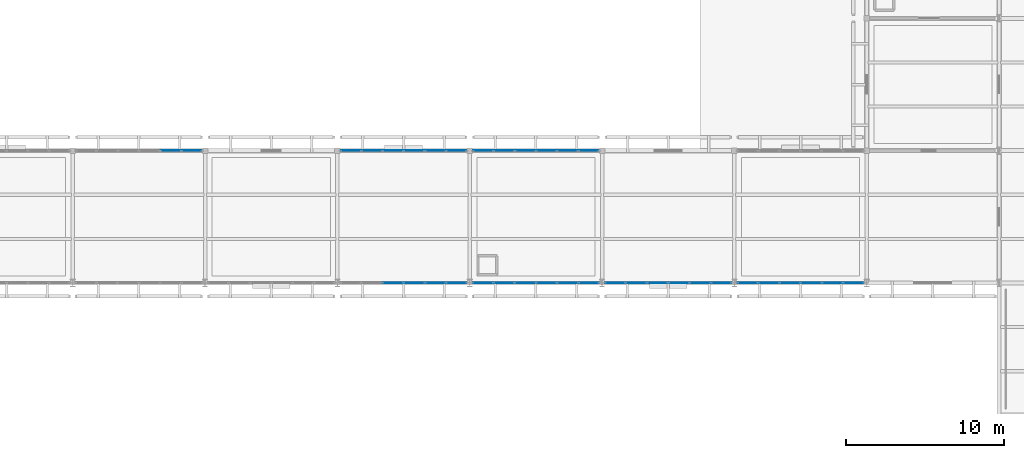
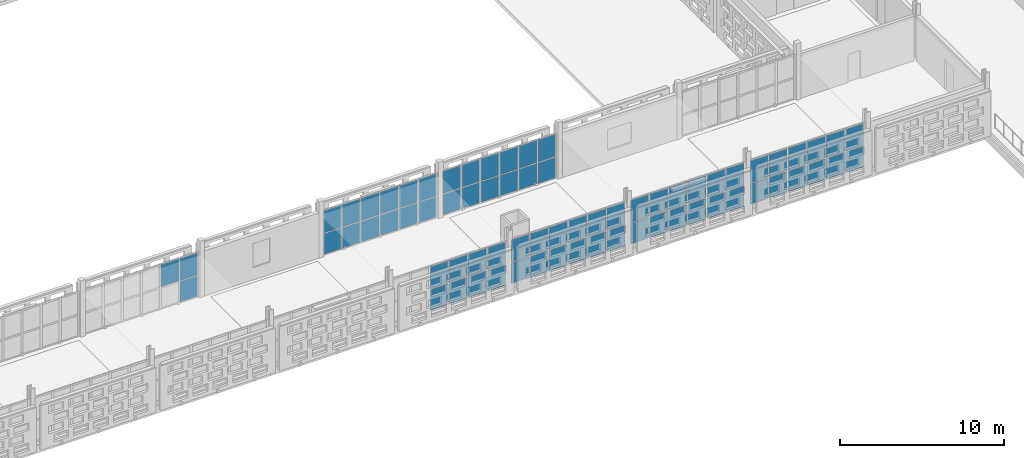
# One storey, part 77 of 140: 71 plates, 7 elements without a shape of their own.
"""IFC4 building model written with IfcOpenShell, lengths in metres."""

import ifcopenshell
import ifcopenshell.guid

model = None  # the IFC model being written
_history = None  # IfcOwnerHistory: only IFC2X3 demands one
_inside = {}  # id of a spatial element -> (the spatial element, [elements in it])
_under = {}  # id of a project, library or spatial element -> (it, [spatial elements below it])
_declared = {}  # id of a project -> (the project, [libraries it declares])
_typed = {}  # id of a type object -> (the type object, [elements of that type])
_made_of = {}  # id of a material, layer set ... -> (it, [elements and type objects made of it])


def new_model(schema):
    """Start an empty IFC model of exactly this schema.

    Asked for "IFC4X3", IfcOpenShell would pick the latest addendum, in which some entities
    have other attributes; the version numbers below select the first issue.
    IFC2X3 requires an IfcOwnerHistory on every rooted entity: one is made here for all.
    """
    global model, _history
    if schema == "IFC4X3":
        model = ifcopenshell.file(schema_version=(4, 3, 0, 0))
    else:
        model = ifcopenshell.file(schema=schema)
    _inside.clear()
    _under.clear()
    _declared.clear()
    _typed.clear()
    _made_of.clear()
    _history = None
    if model.schema == "IFC2X3":
        org = make("IfcOrganization", Name="unknown")
        user = make(
            "IfcPersonAndOrganization",
            ThePerson=make("IfcPerson", FamilyName="unknown"),
            TheOrganization=org,
        )
        app = make(
            "IfcApplication",
            ApplicationDeveloper=org,
            Version="unknown",
            ApplicationFullName="unknown",
            ApplicationIdentifier="unknown",
        )
        _history = make(
            "IfcOwnerHistory",
            OwningUser=user,
            OwningApplication=app,
            ChangeAction="ADDED",
            CreationDate=0,
        )
    return model


def make(cls, **values):
    """One entity of the class cls with the attributes given. An attribute that is None is left unset."""
    return model.create_entity(
        cls, **{name: value for name, value in values.items() if value is not None}
    )


def rooted(cls, **values):
    """An entity with a GlobalId (a new one), such as an element, a storey or a relation."""
    return make(cls, GlobalId=ifcopenshell.guid.new(), OwnerHistory=_history, **values)


def si_unit(unit_type, name, prefix=None):
    """IfcSIUnit, for example si_unit("LENGTHUNIT", "METRE", prefix="MILLI")."""
    return make("IfcSIUnit", UnitType=unit_type, Prefix=prefix, Name=name)


def assignment(units):
    """IfcUnitAssignment: the units of a project."""
    return None if units is None else make("IfcUnitAssignment", Units=units)


def point(xyz):
    """IfcCartesianPoint."""
    return None if xyz is None else make("IfcCartesianPoint", Coordinates=xyz)


def direction(xyz):
    """IfcDirection."""
    return None if xyz is None else make("IfcDirection", DirectionRatios=xyz)


def frame(location, z_axis=None, x_axis=None):
    """IfcAxis2Placement3D, a coordinate frame: its origin and axes. An axis left out is left unset."""
    return make(
        "IfcAxis2Placement3D",
        Location=point(location),
        Axis=direction(z_axis),
        RefDirection=direction(x_axis),
    )


def frame_2d(location, x_axis=None):
    """IfcAxis2Placement2D, a coordinate frame in the plane: its origin and x axis."""
    return make(
        "IfcAxis2Placement2D", Location=point(location), RefDirection=direction(x_axis)
    )


def origin():
    """The frame at (0, 0, 0) with its axes left unset."""
    return frame((0.0, 0.0, 0.0))


def origin_2d():
    """The frame at (0, 0) in the plane with its x axis left unset."""
    return frame_2d((0.0, 0.0))


def place(relative_to, where):
    """IfcLocalPlacement: puts the frame where relative to a parent placement (None: the world)."""
    return make(
        "IfcLocalPlacement", PlacementRelTo=relative_to, RelativePlacement=where
    )


def context(
    kind, dimensions, precision=None, world=None, true_north=None, identifier=None
):
    """IfcGeometricRepresentationContext, for example the 3D "Model" context."""
    return make(
        "IfcGeometricRepresentationContext",
        ContextIdentifier=identifier,
        ContextType=kind,
        CoordinateSpaceDimension=dimensions,
        Precision=precision,
        WorldCoordinateSystem=world,
        TrueNorth=true_north,
    )


def subcontext(parent, identifier, kind, view, scale=None):
    """IfcGeometricRepresentationSubContext, for example "Body" below "Model"."""
    return make(
        "IfcGeometricRepresentationSubContext",
        ContextIdentifier=identifier,
        ContextType=kind,
        ParentContext=parent,
        TargetScale=scale,
        TargetView=view,
    )


def project(units=None, contexts=None):
    """IfcProject with its units and contexts."""
    return rooted(
        "IfcProject",
        Name="project",
        RepresentationContexts=contexts,
        UnitsInContext=assignment(units),
    )


def spatial(cls, under=None, at=None, **own):
    """A site, building, storey or space (cls), placed at a placement, below another one or the project."""
    s = rooted(cls, ObjectPlacement=at, **own)
    if under is not None:
        _under.setdefault(under.id(), (under, []))[1].append(s)
    return s


def profile(cls, at=None, kind="AREA", **sizes):
    """A parametric profile (cls). Its sizes go by their IFC names, for example OverallWidth=200.0."""
    return make(cls, ProfileType=kind, Position=at, **sizes)


def rectangle(**sizes):
    """IfcRectangleProfileDef."""
    return profile("IfcRectangleProfileDef", **sizes)


def extrude(swept, where, along, depth):
    """IfcExtrudedAreaSolid: the profile swept, set in the frame where, extruded along a direction by depth."""
    return make(
        "IfcExtrudedAreaSolid",
        SweptArea=swept,
        Position=where,
        ExtrudedDirection=direction(along),
        Depth=depth,
    )


def shape(context_of_items, identifier, shape_type, items):
    """IfcShapeRepresentation: the items that make up one representation, for example the "Body"."""
    return make(
        "IfcShapeRepresentation",
        ContextOfItems=context_of_items,
        RepresentationIdentifier=identifier,
        RepresentationType=shape_type,
        Items=items,
    )


def material(Name=None, Category=None):
    """IfcMaterial."""
    return make("IfcMaterial", Name=Name, Category=Category)


def layer(
    of_material, thickness, ventilated=None, Name=None, Category=None, Priority=None
):
    """IfcMaterialLayer: one layer of a wall or slab, of a material (None: an air gap)."""
    return make(
        "IfcMaterialLayer",
        Material=of_material,
        LayerThickness=thickness,
        IsVentilated=ventilated,
        Name=Name,
        Category=Category,
        Priority=Priority,
    )


def layer_set(layers, Name=None):
    """IfcMaterialLayerSet."""
    return make("IfcMaterialLayerSet", MaterialLayers=layers, LayerSetName=Name)


def made_of(thing, what):
    """Note that an element or type object is made of a material, layer set ...; save() writes the relation."""
    if what is not None:
        _made_of.setdefault(what.id(), (what, []))[1].append(thing)
    return thing


def type_object(cls, material=None, **own):
    """A type object (cls), such as IfcWallType, which elements share."""
    return made_of(rooted(cls, **own), material)


def element(
    cls,
    number,
    at=None,
    inside=None,
    cuts=None,
    type_object=None,
    material=None,
    context=None,
    identifier="Body",
    shape_type=None,
    held_by="IfcProductDefinitionShape",
    body=None,
    shapes=None,
    **own,
):
    """One element of the class cls, such as IfcWall. Its Tag is "e" and its number.

    at: its placement. inside: the storey or other place that contains it. cuts: it is an
    opening in that element (IfcRelVoidsElement). A single representation is given by context,
    identifier, shape_type and body (its items); several are given by shapes. held_by: the class
    of the entity that holds the representations. save() writes the other relations.
    """
    e = rooted(cls, Tag="e%d" % number, ObjectPlacement=at, **own)
    if body is not None:
        shapes = [shape(context, identifier, shape_type, body)]
    if shapes is not None:
        e.Representation = make(held_by, Representations=shapes)
    if inside is not None:
        _inside.setdefault(inside.id(), (inside, []))[1].append(e)
    if cuts is not None:
        rooted(
            "IfcRelVoidsElement", RelatingBuildingElement=cuts, RelatedOpeningElement=e
        )
    if type_object is not None:
        _typed.setdefault(type_object.id(), (type_object, []))[1].append(e)
    return made_of(e, material)


def aggregate(whole, parts):
    """IfcRelAggregates: a whole, such as a stair, and the parts it consists of."""
    return rooted("IfcRelAggregates", RelatingObject=whole, RelatedObjects=parts)


def save(model, path):
    """Write the relations noted so far, then the file.

    IfcRelAggregates (storeys below a building ...), IfcRelContainedInSpatialStructure (elements
    in a storey), IfcRelDefinesByType, IfcRelAssociatesMaterial and IfcRelDeclares: one each for
    every whole, place, type object, material and project.
    """
    for whole, parts in _under.values():
        aggregate(whole, parts)
    for where, things in _inside.values():
        rooted(
            "IfcRelContainedInSpatialStructure",
            RelatedElements=things,
            RelatingStructure=where,
        )
    for kind, things in _typed.values():
        rooted("IfcRelDefinesByType", RelatedObjects=things, RelatingType=kind)
    for what, things in _made_of.values():
        rooted("IfcRelAssociatesMaterial", RelatedObjects=things, RelatingMaterial=what)
    for by, libraries in _declared.values():
        rooted("IfcRelDeclares", RelatingContext=by, RelatedDefinitions=libraries)
    model.write(path)


model = new_model("IFC4")

# Units and contexts
model_context = context("Model", 3, precision=1e-05, world=origin(), true_north=direction((0.0, 1.0)))
body_context = subcontext(model_context, "Body", "Model", "MODEL_VIEW")
ifc_project = project(units=[si_unit("LENGTHUNIT", "METRE"), si_unit("AREAUNIT", "SQUARE_METRE"), si_unit("VOLUMEUNIT", "CUBIC_METRE"), si_unit("PLANEANGLEUNIT", "RADIAN"), si_unit("MASSUNIT", "GRAM", prefix="KILO")], contexts=[model_context])

# Site, building, storey
site_placement = place(None, origin())
site = spatial("IfcSite", under=ifc_project, at=site_placement, CompositionType="ELEMENT")
building_placement = place(site_placement, origin())
building = spatial("IfcBuilding", under=site, at=building_placement, Name="Varnapada Polytechnic", CompositionType="ELEMENT")
storey_placement = place(building_placement, frame((0.0, 0.0, 13.800048828125)))
storey = spatial("IfcBuildingStorey", under=building, at=storey_placement, Name="L03", CompositionType="ELEMENT", Elevation=13.800048828125)

# Curtain wall, plates
ifc_material = material(Name="Double low-E laminated glass", Category="glass")
ifc_layer_1 = layer(ifc_material, 0.159912109375)
ifc_layer_set_1 = layer_set([ifc_layer_1], Name="Double low-E laminated glass")
curtain_wall_type_1 = type_object("IfcCurtainWallType", Name="Curtain Wall CW-02", PredefinedType="NOTDEFINED", material=ifc_layer_set_1)
curtain_wall_1_placement = place(storey_placement, origin())
curtain_wall_1 = element("IfcCurtainWall", 1, at=curtain_wall_1_placement, inside=storey, type_object=curtain_wall_type_1, Name="L03 unitised curtain wall CW-02 (237)", PredefinedType="NOTDEFINED")
ifc_layer_2 = layer(ifc_material, 0.028076171875)
ifc_layer_set_2 = layer_set([ifc_layer_2], Name="Double low-E laminated glass")
plate_type = type_object("IfcPlateType", Name="Curtain Panel PNL-01", PredefinedType="CURTAIN_PANEL", material=ifc_layer_set_2)
plate_1_placement = place(storey_placement, frame((81.81494140625, 92.39990234375, 1.642822265625), z_axis=(0.0, 0.0, 1.0), x_axis=(1.0, 0.0, 0.0)))
plate_1 = element("IfcPlate", 2, at=plate_1_placement, type_object=plate_type, Name="CW-02 panel 5.2", PredefinedType="CURTAIN_PANEL", context=body_context, shape_type="SweptSolid", body=[
    extrude(rectangle(XDim=1.283447265625, YDim=0.028076171875, at=origin_2d()), origin(), (0.0, 0.0, 1.0), 1.6572265625),
])
plate_2_placement = place(storey_placement, frame((83.143310546875, 92.39990234375, 0.06005859375), z_axis=(0.0, 0.0, 1.0), x_axis=(1.0, 0.0, 0.0)))
plate_2 = element("IfcPlate", 3, at=plate_2_placement, type_object=plate_type, Name="CW-02 panel 6.1", PredefinedType="CURTAIN_PANEL", context=body_context, shape_type="SweptSolid", body=[
    extrude(rectangle(XDim=1.25341796875, YDim=0.028076171875, at=origin_2d()), origin(), (0.0, 0.0, 1.0), 1.522705078125),
])
plate_3_placement = place(storey_placement, frame((83.143310546875, 92.39990234375, 1.642822265625), z_axis=(0.0, 0.0, 1.0), x_axis=(1.0, 0.0, 0.0)))
plate_3 = element("IfcPlate", 4, at=plate_3_placement, type_object=plate_type, Name="CW-02 panel 6.2", PredefinedType="CURTAIN_PANEL", context=body_context, shape_type="SweptSolid", body=[
    extrude(rectangle(XDim=1.25341796875, YDim=0.028076171875, at=origin_2d()), origin(), (0.0, 0.0, 1.0), 1.6572265625),
])
aggregate(curtain_wall_1, [plate_1, plate_2, plate_3])

ifc_layer_3 = layer(ifc_material, 0.159912109375)
ifc_layer_set_3 = layer_set([ifc_layer_3], Name="Double low-E laminated glass")
curtain_wall_type_2 = type_object("IfcCurtainWallType", Name="Curtain Wall CW-01", PredefinedType="NOTDEFINED", material=ifc_layer_set_3)
curtain_wall_2_placement = place(storey_placement, origin())
curtain_wall_2 = element("IfcCurtainWall", 5, at=curtain_wall_2_placement, inside=storey, type_object=curtain_wall_type_2, Name="L03 unitised curtain wall CW-01 (239)", PredefinedType="NOTDEFINED")
plate_4_placement = place(storey_placement, frame((99.9599609375, 84.0, 0.06005859375), z_axis=(0.0, 0.0, 1.0), x_axis=(-1.0, 0.0, 0.0)))
plate_4 = element("IfcPlate", 6, at=plate_4_placement, type_object=plate_type, Name="CW-01 panel 1.1", PredefinedType="CURTAIN_PANEL", context=body_context, shape_type="SweptSolid", body=[
    extrude(rectangle(XDim=1.260009765625, YDim=0.028076171875, at=origin_2d()), origin(), (0.0, 0.0, 1.0), 1.522705078125),
])
plate_5_placement = place(storey_placement, frame((99.9599609375, 84.0, 1.642822265625), z_axis=(0.0, 0.0, 1.0), x_axis=(-1.0, 0.0, 0.0)))
plate_5 = element("IfcPlate", 7, at=plate_5_placement, type_object=plate_type, Name="CW-01 panel 1.2", PredefinedType="CURTAIN_PANEL", context=body_context, shape_type="SweptSolid", body=[
    extrude(rectangle(XDim=1.260009765625, YDim=0.028076171875, at=origin_2d()), origin(), (0.0, 0.0, 1.0), 1.6572265625),
])
plate_6_placement = place(storey_placement, frame((98.625, 84.0, 0.06005859375), z_axis=(0.0, 0.0, 1.0), x_axis=(-1.0, 0.0, 0.0)))
plate_6 = element("IfcPlate", 8, at=plate_6_placement, type_object=plate_type, Name="CW-01 panel 2.1", PredefinedType="CURTAIN_PANEL", context=body_context, shape_type="SweptSolid", body=[
    extrude(rectangle(XDim=1.2900390625, YDim=0.028076171875, at=origin_2d()), origin(), (0.0, 0.0, 1.0), 1.522705078125),
])
plate_7_placement = place(storey_placement, frame((98.625, 84.0, 1.642822265625), z_axis=(0.0, 0.0, 1.0), x_axis=(-1.0, 0.0, 0.0)))
plate_7 = element("IfcPlate", 9, at=plate_7_placement, type_object=plate_type, Name="CW-01 panel 2.2", PredefinedType="CURTAIN_PANEL", context=body_context, shape_type="SweptSolid", body=[
    extrude(rectangle(XDim=1.2900390625, YDim=0.028076171875, at=origin_2d()), origin(), (0.0, 0.0, 1.0), 1.6572265625),
])
plate_8_placement = place(storey_placement, frame((97.27490234375, 84.0, 0.06005859375), z_axis=(0.0, 0.0, 1.0), x_axis=(-1.0, 0.0, 0.0)))
plate_8 = element("IfcPlate", 10, at=plate_8_placement, type_object=plate_type, Name="CW-01 panel 3.1", PredefinedType="CURTAIN_PANEL", context=body_context, shape_type="SweptSolid", body=[
    extrude(rectangle(XDim=1.2900390625, YDim=0.028076171875, at=origin_2d()), origin(), (0.0, 0.0, 1.0), 1.522705078125),
])
plate_9_placement = place(storey_placement, frame((97.27490234375, 84.0, 1.642822265625), z_axis=(0.0, 0.0, 1.0), x_axis=(-1.0, 0.0, 0.0)))
plate_9 = element("IfcPlate", 11, at=plate_9_placement, type_object=plate_type, Name="CW-01 panel 3.2", PredefinedType="CURTAIN_PANEL", context=body_context, shape_type="SweptSolid", body=[
    extrude(rectangle(XDim=1.2900390625, YDim=0.028076171875, at=origin_2d()), origin(), (0.0, 0.0, 1.0), 1.6572265625),
])
plate_10_placement = place(storey_placement, frame((95.925048828125, 84.0, 0.06005859375), z_axis=(0.0, 0.0, 1.0), x_axis=(-1.0, 0.0, 0.0)))
plate_10 = element("IfcPlate", 12, at=plate_10_placement, type_object=plate_type, Name="CW-01 panel 4.1", PredefinedType="CURTAIN_PANEL", context=body_context, shape_type="SweptSolid", body=[
    extrude(rectangle(XDim=1.2900390625, YDim=0.028076171875, at=origin_2d()), origin(), (0.0, 0.0, 1.0), 1.522705078125),
])
plate_11_placement = place(storey_placement, frame((95.925048828125, 84.0, 1.642822265625), z_axis=(0.0, 0.0, 1.0), x_axis=(-1.0, 0.0, 0.0)))
plate_11 = element("IfcPlate", 13, at=plate_11_placement, type_object=plate_type, Name="CW-01 panel 4.2", PredefinedType="CURTAIN_PANEL", context=body_context, shape_type="SweptSolid", body=[
    extrude(rectangle(XDim=1.2900390625, YDim=0.028076171875, at=origin_2d()), origin(), (0.0, 0.0, 1.0), 1.6572265625),
])
aggregate(curtain_wall_2, [plate_4, plate_5, plate_6, plate_7, plate_8, plate_9, plate_10, plate_11])

curtain_wall_3_placement = place(storey_placement, origin())
curtain_wall_3 = element("IfcCurtainWall", 14, at=curtain_wall_3_placement, inside=storey, type_object=curtain_wall_type_1, Name="L03 unitised curtain wall CW-02 (240)", PredefinedType="NOTDEFINED")
plate_12_placement = place(storey_placement, frame((93.256591796875, 92.39990234375, 0.06005859375), z_axis=(0.0, 0.0, 1.0), x_axis=(1.0, 0.0, 0.0)))
plate_12 = element("IfcPlate", 15, at=plate_12_placement, type_object=plate_type, Name="CW-02 panel 1.1", PredefinedType="CURTAIN_PANEL", context=body_context, shape_type="SweptSolid", body=[
    extrude(rectangle(XDim=1.25341796875, YDim=0.028076171875, at=origin_2d()), origin(), (0.0, 0.0, 1.0), 1.522705078125),
])
plate_13_placement = place(storey_placement, frame((93.256591796875, 92.39990234375, 1.642822265625), z_axis=(0.0, 0.0, 1.0), x_axis=(1.0, 0.0, 0.0)))
plate_13 = element("IfcPlate", 16, at=plate_13_placement, type_object=plate_type, Name="CW-02 panel 1.2", PredefinedType="CURTAIN_PANEL", context=body_context, shape_type="SweptSolid", body=[
    extrude(rectangle(XDim=1.25341796875, YDim=0.028076171875, at=origin_2d()), origin(), (0.0, 0.0, 1.0), 1.6572265625),
])
plate_14_placement = place(storey_placement, frame((94.5849609375, 92.39990234375, 0.06005859375), z_axis=(0.0, 0.0, 1.0), x_axis=(1.0, 0.0, 0.0)))
plate_14 = element("IfcPlate", 17, at=plate_14_placement, type_object=plate_type, Name="CW-02 panel 2.1", PredefinedType="CURTAIN_PANEL", context=body_context, shape_type="SweptSolid", body=[
    extrude(rectangle(XDim=1.283447265625, YDim=0.028076171875, at=origin_2d()), origin(), (0.0, 0.0, 1.0), 1.522705078125),
])
plate_15_placement = place(storey_placement, frame((94.5849609375, 92.39990234375, 1.642822265625), z_axis=(0.0, 0.0, 1.0), x_axis=(1.0, 0.0, 0.0)))
plate_15 = element("IfcPlate", 18, at=plate_15_placement, type_object=plate_type, Name="CW-02 panel 2.2", PredefinedType="CURTAIN_PANEL", context=body_context, shape_type="SweptSolid", body=[
    extrude(rectangle(XDim=1.283447265625, YDim=0.028076171875, at=origin_2d()), origin(), (0.0, 0.0, 1.0), 1.6572265625),
])
plate_16_placement = place(storey_placement, frame((95.92822265625, 92.39990234375, 0.06005859375), z_axis=(0.0, 0.0, 1.0), x_axis=(1.0, 0.0, 0.0)))
plate_16 = element("IfcPlate", 19, at=plate_16_placement, type_object=plate_type, Name="CW-02 panel 3.1", PredefinedType="CURTAIN_PANEL", context=body_context, shape_type="SweptSolid", body=[
    extrude(rectangle(XDim=1.283447265625, YDim=0.028076171875, at=origin_2d()), origin(), (0.0, 0.0, 1.0), 1.522705078125),
])
plate_17_placement = place(storey_placement, frame((95.92822265625, 92.39990234375, 1.642822265625), z_axis=(0.0, 0.0, 1.0), x_axis=(1.0, 0.0, 0.0)))
plate_17 = element("IfcPlate", 20, at=plate_17_placement, type_object=plate_type, Name="CW-02 panel 3.2", PredefinedType="CURTAIN_PANEL", context=body_context, shape_type="SweptSolid", body=[
    extrude(rectangle(XDim=1.283447265625, YDim=0.028076171875, at=origin_2d()), origin(), (0.0, 0.0, 1.0), 1.6572265625),
])
plate_18_placement = place(storey_placement, frame((97.271728515625, 92.39990234375, 0.06005859375), z_axis=(0.0, 0.0, 1.0), x_axis=(1.0, 0.0, 0.0)))
plate_18 = element("IfcPlate", 21, at=plate_18_placement, type_object=plate_type, Name="CW-02 panel 4.1", PredefinedType="CURTAIN_PANEL", context=body_context, shape_type="SweptSolid", body=[
    extrude(rectangle(XDim=1.283447265625, YDim=0.028076171875, at=origin_2d()), origin(), (0.0, 0.0, 1.0), 1.522705078125),
])
plate_19_placement = place(storey_placement, frame((97.271728515625, 92.39990234375, 1.642822265625), z_axis=(0.0, 0.0, 1.0), x_axis=(1.0, 0.0, 0.0)))
plate_19 = element("IfcPlate", 22, at=plate_19_placement, type_object=plate_type, Name="CW-02 panel 4.2", PredefinedType="CURTAIN_PANEL", context=body_context, shape_type="SweptSolid", body=[
    extrude(rectangle(XDim=1.283447265625, YDim=0.028076171875, at=origin_2d()), origin(), (0.0, 0.0, 1.0), 1.6572265625),
])
plate_20_placement = place(storey_placement, frame((98.614990234375, 92.39990234375, 0.06005859375), z_axis=(0.0, 0.0, 1.0), x_axis=(1.0, 0.0, 0.0)))
plate_20 = element("IfcPlate", 23, at=plate_20_placement, type_object=plate_type, Name="CW-02 panel 5.1", PredefinedType="CURTAIN_PANEL", context=body_context, shape_type="SweptSolid", body=[
    extrude(rectangle(XDim=1.283447265625, YDim=0.028076171875, at=origin_2d()), origin(), (0.0, 0.0, 1.0), 1.522705078125),
])
plate_21_placement = place(storey_placement, frame((98.614990234375, 92.39990234375, 1.642822265625), z_axis=(0.0, 0.0, 1.0), x_axis=(1.0, 0.0, 0.0)))
plate_21 = element("IfcPlate", 24, at=plate_21_placement, type_object=plate_type, Name="CW-02 panel 5.2", PredefinedType="CURTAIN_PANEL", context=body_context, shape_type="SweptSolid", body=[
    extrude(rectangle(XDim=1.283447265625, YDim=0.028076171875, at=origin_2d()), origin(), (0.0, 0.0, 1.0), 1.6572265625),
])
plate_22_placement = place(storey_placement, frame((99.943359375, 92.39990234375, 0.06005859375), z_axis=(0.0, 0.0, 1.0), x_axis=(1.0, 0.0, 0.0)))
plate_22 = element("IfcPlate", 25, at=plate_22_placement, type_object=plate_type, Name="CW-02 panel 6.1", PredefinedType="CURTAIN_PANEL", context=body_context, shape_type="SweptSolid", body=[
    extrude(rectangle(XDim=1.25341796875, YDim=0.028076171875, at=origin_2d()), origin(), (0.0, 0.0, 1.0), 1.522705078125),
])
plate_23_placement = place(storey_placement, frame((99.943359375, 92.39990234375, 1.642822265625), z_axis=(0.0, 0.0, 1.0), x_axis=(1.0, 0.0, 0.0)))
plate_23 = element("IfcPlate", 26, at=plate_23_placement, type_object=plate_type, Name="CW-02 panel 6.2", PredefinedType="CURTAIN_PANEL", context=body_context, shape_type="SweptSolid", body=[
    extrude(rectangle(XDim=1.25341796875, YDim=0.028076171875, at=origin_2d()), origin(), (0.0, 0.0, 1.0), 1.6572265625),
])
aggregate(curtain_wall_3, [plate_12, plate_13, plate_14, plate_15, plate_16, plate_17, plate_18, plate_19, plate_20, plate_21, plate_22, plate_23])

curtain_wall_4_placement = place(storey_placement, origin())
curtain_wall_4 = element("IfcCurtainWall", 27, at=curtain_wall_4_placement, inside=storey, type_object=curtain_wall_type_2, Name="L03 unitised curtain wall CW-01 (241)", PredefinedType="NOTDEFINED")
plate_24_placement = place(storey_placement, frame((108.360107421875, 84.0, 0.06005859375), z_axis=(0.0, 0.0, 1.0), x_axis=(-1.0, 0.0, 0.0)))
plate_24 = element("IfcPlate", 28, at=plate_24_placement, type_object=plate_type, Name="CW-01 panel 1.1", PredefinedType="CURTAIN_PANEL", context=body_context, shape_type="SweptSolid", body=[
    extrude(rectangle(XDim=1.260009765625, YDim=0.028076171875, at=origin_2d()), origin(), (0.0, 0.0, 1.0), 1.522705078125),
])
plate_25_placement = place(storey_placement, frame((108.360107421875, 84.0, 1.642822265625), z_axis=(0.0, 0.0, 1.0), x_axis=(-1.0, 0.0, 0.0)))
plate_25 = element("IfcPlate", 29, at=plate_25_placement, type_object=plate_type, Name="CW-01 panel 1.2", PredefinedType="CURTAIN_PANEL", context=body_context, shape_type="SweptSolid", body=[
    extrude(rectangle(XDim=1.260009765625, YDim=0.028076171875, at=origin_2d()), origin(), (0.0, 0.0, 1.0), 1.6572265625),
])
plate_26_placement = place(storey_placement, frame((107.02490234375, 84.0, 0.06005859375), z_axis=(0.0, 0.0, 1.0), x_axis=(-1.0, 0.0, 0.0)))
plate_26 = element("IfcPlate", 30, at=plate_26_placement, type_object=plate_type, Name="CW-01 panel 2.1", PredefinedType="CURTAIN_PANEL", context=body_context, shape_type="SweptSolid", body=[
    extrude(rectangle(XDim=1.2900390625, YDim=0.028076171875, at=origin_2d()), origin(), (0.0, 0.0, 1.0), 1.522705078125),
])
plate_27_placement = place(storey_placement, frame((107.02490234375, 84.0, 1.642822265625), z_axis=(0.0, 0.0, 1.0), x_axis=(-1.0, 0.0, 0.0)))
plate_27 = element("IfcPlate", 31, at=plate_27_placement, type_object=plate_type, Name="CW-01 panel 2.2", PredefinedType="CURTAIN_PANEL", context=body_context, shape_type="SweptSolid", body=[
    extrude(rectangle(XDim=1.2900390625, YDim=0.028076171875, at=origin_2d()), origin(), (0.0, 0.0, 1.0), 1.6572265625),
])
plate_28_placement = place(storey_placement, frame((105.675048828125, 84.0, 0.06005859375), z_axis=(0.0, 0.0, 1.0), x_axis=(-1.0, 0.0, 0.0)))
plate_28 = element("IfcPlate", 32, at=plate_28_placement, type_object=plate_type, Name="CW-01 panel 3.1", PredefinedType="CURTAIN_PANEL", context=body_context, shape_type="SweptSolid", body=[
    extrude(rectangle(XDim=1.2900390625, YDim=0.028076171875, at=origin_2d()), origin(), (0.0, 0.0, 1.0), 1.522705078125),
])
plate_29_placement = place(storey_placement, frame((105.675048828125, 84.0, 1.642822265625), z_axis=(0.0, 0.0, 1.0), x_axis=(-1.0, 0.0, 0.0)))
plate_29 = element("IfcPlate", 33, at=plate_29_placement, type_object=plate_type, Name="CW-01 panel 3.2", PredefinedType="CURTAIN_PANEL", context=body_context, shape_type="SweptSolid", body=[
    extrude(rectangle(XDim=1.2900390625, YDim=0.028076171875, at=origin_2d()), origin(), (0.0, 0.0, 1.0), 1.6572265625),
])
plate_30_placement = place(storey_placement, frame((104.324951171875, 84.0, 0.06005859375), z_axis=(0.0, 0.0, 1.0), x_axis=(-1.0, 0.0, 0.0)))
plate_30 = element("IfcPlate", 34, at=plate_30_placement, type_object=plate_type, Name="CW-01 panel 4.1", PredefinedType="CURTAIN_PANEL", context=body_context, shape_type="SweptSolid", body=[
    extrude(rectangle(XDim=1.2900390625, YDim=0.028076171875, at=origin_2d()), origin(), (0.0, 0.0, 1.0), 1.522705078125),
])
plate_31_placement = place(storey_placement, frame((104.324951171875, 84.0, 1.642822265625), z_axis=(0.0, 0.0, 1.0), x_axis=(-1.0, 0.0, 0.0)))
plate_31 = element("IfcPlate", 35, at=plate_31_placement, type_object=plate_type, Name="CW-01 panel 4.2", PredefinedType="CURTAIN_PANEL", context=body_context, shape_type="SweptSolid", body=[
    extrude(rectangle(XDim=1.2900390625, YDim=0.028076171875, at=origin_2d()), origin(), (0.0, 0.0, 1.0), 1.6572265625),
])
plate_32_placement = place(storey_placement, frame((102.97509765625, 84.0, 0.06005859375), z_axis=(0.0, 0.0, 1.0), x_axis=(-1.0, 0.0, 0.0)))
plate_32 = element("IfcPlate", 36, at=plate_32_placement, type_object=plate_type, Name="CW-01 panel 5.1", PredefinedType="CURTAIN_PANEL", context=body_context, shape_type="SweptSolid", body=[
    extrude(rectangle(XDim=1.2900390625, YDim=0.028076171875, at=origin_2d()), origin(), (0.0, 0.0, 1.0), 1.522705078125),
])
plate_33_placement = place(storey_placement, frame((102.97509765625, 84.0, 1.642822265625), z_axis=(0.0, 0.0, 1.0), x_axis=(-1.0, 0.0, 0.0)))
plate_33 = element("IfcPlate", 37, at=plate_33_placement, type_object=plate_type, Name="CW-01 panel 5.2", PredefinedType="CURTAIN_PANEL", context=body_context, shape_type="SweptSolid", body=[
    extrude(rectangle(XDim=1.2900390625, YDim=0.028076171875, at=origin_2d()), origin(), (0.0, 0.0, 1.0), 1.6572265625),
])
plate_34_placement = place(storey_placement, frame((101.639892578125, 84.0, 0.06005859375), z_axis=(0.0, 0.0, 1.0), x_axis=(-1.0, 0.0, 0.0)))
plate_34 = element("IfcPlate", 38, at=plate_34_placement, type_object=plate_type, Name="CW-01 panel 6.1", PredefinedType="CURTAIN_PANEL", context=body_context, shape_type="SweptSolid", body=[
    extrude(rectangle(XDim=1.260009765625, YDim=0.028076171875, at=origin_2d()), origin(), (0.0, 0.0, 1.0), 1.522705078125),
])
plate_35_placement = place(storey_placement, frame((101.639892578125, 84.0, 1.642822265625), z_axis=(0.0, 0.0, 1.0), x_axis=(-1.0, 0.0, 0.0)))
plate_35 = element("IfcPlate", 39, at=plate_35_placement, type_object=plate_type, Name="CW-01 panel 6.2", PredefinedType="CURTAIN_PANEL", context=body_context, shape_type="SweptSolid", body=[
    extrude(rectangle(XDim=1.260009765625, YDim=0.028076171875, at=origin_2d()), origin(), (0.0, 0.0, 1.0), 1.6572265625),
])
aggregate(curtain_wall_4, [plate_24, plate_25, plate_26, plate_27, plate_28, plate_29, plate_30, plate_31, plate_32, plate_33, plate_34, plate_35])

curtain_wall_5_placement = place(storey_placement, origin())
curtain_wall_5 = element("IfcCurtainWall", 40, at=curtain_wall_5_placement, inside=storey, type_object=curtain_wall_type_1, Name="L03 unitised curtain wall CW-02 (242)", PredefinedType="NOTDEFINED")
plate_36_placement = place(storey_placement, frame((101.65673828125, 92.39990234375, 0.06005859375), z_axis=(0.0, 0.0, 1.0), x_axis=(1.0, 0.0, 0.0)))
plate_36 = element("IfcPlate", 41, at=plate_36_placement, type_object=plate_type, Name="CW-02 panel 1.1", PredefinedType="CURTAIN_PANEL", context=body_context, shape_type="SweptSolid", body=[
    extrude(rectangle(XDim=1.25341796875, YDim=0.028076171875, at=origin_2d()), origin(), (0.0, 0.0, 1.0), 1.522705078125),
])
plate_37_placement = place(storey_placement, frame((101.65673828125, 92.39990234375, 1.642822265625), z_axis=(0.0, 0.0, 1.0), x_axis=(1.0, 0.0, 0.0)))
plate_37 = element("IfcPlate", 42, at=plate_37_placement, type_object=plate_type, Name="CW-02 panel 1.2", PredefinedType="CURTAIN_PANEL", context=body_context, shape_type="SweptSolid", body=[
    extrude(rectangle(XDim=1.25341796875, YDim=0.028076171875, at=origin_2d()), origin(), (0.0, 0.0, 1.0), 1.6572265625),
])
plate_38_placement = place(storey_placement, frame((102.985107421875, 92.39990234375, 0.06005859375), z_axis=(0.0, 0.0, 1.0), x_axis=(1.0, 0.0, 0.0)))
plate_38 = element("IfcPlate", 43, at=plate_38_placement, type_object=plate_type, Name="CW-02 panel 2.1", PredefinedType="CURTAIN_PANEL", context=body_context, shape_type="SweptSolid", body=[
    extrude(rectangle(XDim=1.283447265625, YDim=0.028076171875, at=origin_2d()), origin(), (0.0, 0.0, 1.0), 1.522705078125),
])
plate_39_placement = place(storey_placement, frame((102.985107421875, 92.39990234375, 1.642822265625), z_axis=(0.0, 0.0, 1.0), x_axis=(1.0, 0.0, 0.0)))
plate_39 = element("IfcPlate", 44, at=plate_39_placement, type_object=plate_type, Name="CW-02 panel 2.2", PredefinedType="CURTAIN_PANEL", context=body_context, shape_type="SweptSolid", body=[
    extrude(rectangle(XDim=1.283447265625, YDim=0.028076171875, at=origin_2d()), origin(), (0.0, 0.0, 1.0), 1.6572265625),
])
plate_40_placement = place(storey_placement, frame((104.328369140625, 92.39990234375, 0.06005859375), z_axis=(0.0, 0.0, 1.0), x_axis=(1.0, 0.0, 0.0)))
plate_40 = element("IfcPlate", 45, at=plate_40_placement, type_object=plate_type, Name="CW-02 panel 3.1", PredefinedType="CURTAIN_PANEL", context=body_context, shape_type="SweptSolid", body=[
    extrude(rectangle(XDim=1.283447265625, YDim=0.028076171875, at=origin_2d()), origin(), (0.0, 0.0, 1.0), 1.522705078125),
])
plate_41_placement = place(storey_placement, frame((104.328369140625, 92.39990234375, 1.642822265625), z_axis=(0.0, 0.0, 1.0), x_axis=(1.0, 0.0, 0.0)))
plate_41 = element("IfcPlate", 46, at=plate_41_placement, type_object=plate_type, Name="CW-02 panel 3.2", PredefinedType="CURTAIN_PANEL", context=body_context, shape_type="SweptSolid", body=[
    extrude(rectangle(XDim=1.283447265625, YDim=0.028076171875, at=origin_2d()), origin(), (0.0, 0.0, 1.0), 1.6572265625),
])
plate_42_placement = place(storey_placement, frame((105.671630859375, 92.39990234375, 0.06005859375), z_axis=(0.0, 0.0, 1.0), x_axis=(1.0, 0.0, 0.0)))
plate_42 = element("IfcPlate", 47, at=plate_42_placement, type_object=plate_type, Name="CW-02 panel 4.1", PredefinedType="CURTAIN_PANEL", context=body_context, shape_type="SweptSolid", body=[
    extrude(rectangle(XDim=1.283447265625, YDim=0.028076171875, at=origin_2d()), origin(), (0.0, 0.0, 1.0), 1.522705078125),
])
plate_43_placement = place(storey_placement, frame((105.671630859375, 92.39990234375, 1.642822265625), z_axis=(0.0, 0.0, 1.0), x_axis=(1.0, 0.0, 0.0)))
plate_43 = element("IfcPlate", 48, at=plate_43_placement, type_object=plate_type, Name="CW-02 panel 4.2", PredefinedType="CURTAIN_PANEL", context=body_context, shape_type="SweptSolid", body=[
    extrude(rectangle(XDim=1.283447265625, YDim=0.028076171875, at=origin_2d()), origin(), (0.0, 0.0, 1.0), 1.6572265625),
])
plate_44_placement = place(storey_placement, frame((107.014892578125, 92.39990234375, 0.06005859375), z_axis=(0.0, 0.0, 1.0), x_axis=(1.0, 0.0, 0.0)))
plate_44 = element("IfcPlate", 49, at=plate_44_placement, type_object=plate_type, Name="CW-02 panel 5.1", PredefinedType="CURTAIN_PANEL", context=body_context, shape_type="SweptSolid", body=[
    extrude(rectangle(XDim=1.283447265625, YDim=0.028076171875, at=origin_2d()), origin(), (0.0, 0.0, 1.0), 1.522705078125),
])
plate_45_placement = place(storey_placement, frame((107.014892578125, 92.39990234375, 1.642822265625), z_axis=(0.0, 0.0, 1.0), x_axis=(1.0, 0.0, 0.0)))
plate_45 = element("IfcPlate", 50, at=plate_45_placement, type_object=plate_type, Name="CW-02 panel 5.2", PredefinedType="CURTAIN_PANEL", context=body_context, shape_type="SweptSolid", body=[
    extrude(rectangle(XDim=1.283447265625, YDim=0.028076171875, at=origin_2d()), origin(), (0.0, 0.0, 1.0), 1.6572265625),
])
plate_46_placement = place(storey_placement, frame((108.34326171875, 92.39990234375, 0.06005859375), z_axis=(0.0, 0.0, 1.0), x_axis=(1.0, 0.0, 0.0)))
plate_46 = element("IfcPlate", 51, at=plate_46_placement, type_object=plate_type, Name="CW-02 panel 6.1", PredefinedType="CURTAIN_PANEL", context=body_context, shape_type="SweptSolid", body=[
    extrude(rectangle(XDim=1.25341796875, YDim=0.028076171875, at=origin_2d()), origin(), (0.0, 0.0, 1.0), 1.522705078125),
])
plate_47_placement = place(storey_placement, frame((108.34326171875, 92.39990234375, 1.642822265625), z_axis=(0.0, 0.0, 1.0), x_axis=(1.0, 0.0, 0.0)))
plate_47 = element("IfcPlate", 52, at=plate_47_placement, type_object=plate_type, Name="CW-02 panel 6.2", PredefinedType="CURTAIN_PANEL", context=body_context, shape_type="SweptSolid", body=[
    extrude(rectangle(XDim=1.25341796875, YDim=0.028076171875, at=origin_2d()), origin(), (0.0, 0.0, 1.0), 1.6572265625),
])
aggregate(curtain_wall_5, [plate_36, plate_37, plate_38, plate_39, plate_40, plate_41, plate_42, plate_43, plate_44, plate_45, plate_46, plate_47])

curtain_wall_6_placement = place(storey_placement, origin())
curtain_wall_6 = element("IfcCurtainWall", 53, at=curtain_wall_6_placement, inside=storey, type_object=curtain_wall_type_2, Name="L03 unitised curtain wall CW-01 (243)", PredefinedType="NOTDEFINED")
plate_48_placement = place(storey_placement, frame((116.760009765625, 84.0, 0.06005859375), z_axis=(0.0, 0.0, 1.0), x_axis=(-1.0, 0.0, 0.0)))
plate_48 = element("IfcPlate", 54, at=plate_48_placement, type_object=plate_type, Name="CW-01 panel 1.1", PredefinedType="CURTAIN_PANEL", context=body_context, shape_type="SweptSolid", body=[
    extrude(rectangle(XDim=1.260009765625, YDim=0.028076171875, at=origin_2d()), origin(), (0.0, 0.0, 1.0), 1.522705078125),
])
plate_49_placement = place(storey_placement, frame((116.760009765625, 84.0, 1.642822265625), z_axis=(0.0, 0.0, 1.0), x_axis=(-1.0, 0.0, 0.0)))
plate_49 = element("IfcPlate", 55, at=plate_49_placement, type_object=plate_type, Name="CW-01 panel 1.2", PredefinedType="CURTAIN_PANEL", context=body_context, shape_type="SweptSolid", body=[
    extrude(rectangle(XDim=1.260009765625, YDim=0.028076171875, at=origin_2d()), origin(), (0.0, 0.0, 1.0), 1.6572265625),
])
plate_50_placement = place(storey_placement, frame((115.425048828125, 84.0, 0.06005859375), z_axis=(0.0, 0.0, 1.0), x_axis=(-1.0, 0.0, 0.0)))
plate_50 = element("IfcPlate", 56, at=plate_50_placement, type_object=plate_type, Name="CW-01 panel 2.1", PredefinedType="CURTAIN_PANEL", context=body_context, shape_type="SweptSolid", body=[
    extrude(rectangle(XDim=1.2900390625, YDim=0.028076171875, at=origin_2d()), origin(), (0.0, 0.0, 1.0), 1.522705078125),
])
plate_51_placement = place(storey_placement, frame((115.425048828125, 84.0, 1.642822265625), z_axis=(0.0, 0.0, 1.0), x_axis=(-1.0, 0.0, 0.0)))
plate_51 = element("IfcPlate", 57, at=plate_51_placement, type_object=plate_type, Name="CW-01 panel 2.2", PredefinedType="CURTAIN_PANEL", context=body_context, shape_type="SweptSolid", body=[
    extrude(rectangle(XDim=1.2900390625, YDim=0.028076171875, at=origin_2d()), origin(), (0.0, 0.0, 1.0), 1.6572265625),
])
plate_52_placement = place(storey_placement, frame((114.074951171875, 84.0, 0.06005859375), z_axis=(0.0, 0.0, 1.0), x_axis=(-1.0, 0.0, 0.0)))
plate_52 = element("IfcPlate", 58, at=plate_52_placement, type_object=plate_type, Name="CW-01 panel 3.1", PredefinedType="CURTAIN_PANEL", context=body_context, shape_type="SweptSolid", body=[
    extrude(rectangle(XDim=1.2900390625, YDim=0.028076171875, at=origin_2d()), origin(), (0.0, 0.0, 1.0), 1.522705078125),
])
plate_53_placement = place(storey_placement, frame((114.074951171875, 84.0, 1.642822265625), z_axis=(0.0, 0.0, 1.0), x_axis=(-1.0, 0.0, 0.0)))
plate_53 = element("IfcPlate", 59, at=plate_53_placement, type_object=plate_type, Name="CW-01 panel 3.2", PredefinedType="CURTAIN_PANEL", context=body_context, shape_type="SweptSolid", body=[
    extrude(rectangle(XDim=1.2900390625, YDim=0.028076171875, at=origin_2d()), origin(), (0.0, 0.0, 1.0), 1.6572265625),
])
plate_54_placement = place(storey_placement, frame((112.72509765625, 84.0, 0.06005859375), z_axis=(0.0, 0.0, 1.0), x_axis=(-1.0, 0.0, 0.0)))
plate_54 = element("IfcPlate", 60, at=plate_54_placement, type_object=plate_type, Name="CW-01 panel 4.1", PredefinedType="CURTAIN_PANEL", context=body_context, shape_type="SweptSolid", body=[
    extrude(rectangle(XDim=1.2900390625, YDim=0.028076171875, at=origin_2d()), origin(), (0.0, 0.0, 1.0), 1.522705078125),
])
plate_55_placement = place(storey_placement, frame((112.72509765625, 84.0, 1.642822265625), z_axis=(0.0, 0.0, 1.0), x_axis=(-1.0, 0.0, 0.0)))
plate_55 = element("IfcPlate", 61, at=plate_55_placement, type_object=plate_type, Name="CW-01 panel 4.2", PredefinedType="CURTAIN_PANEL", context=body_context, shape_type="SweptSolid", body=[
    extrude(rectangle(XDim=1.2900390625, YDim=0.028076171875, at=origin_2d()), origin(), (0.0, 0.0, 1.0), 1.6572265625),
])
plate_56_placement = place(storey_placement, frame((111.375, 84.0, 0.06005859375), z_axis=(0.0, 0.0, 1.0), x_axis=(-1.0, 0.0, 0.0)))
plate_56 = element("IfcPlate", 62, at=plate_56_placement, type_object=plate_type, Name="CW-01 panel 5.1", PredefinedType="CURTAIN_PANEL", context=body_context, shape_type="SweptSolid", body=[
    extrude(rectangle(XDim=1.2900390625, YDim=0.028076171875, at=origin_2d()), origin(), (0.0, 0.0, 1.0), 1.522705078125),
])
plate_57_placement = place(storey_placement, frame((111.375, 84.0, 1.642822265625), z_axis=(0.0, 0.0, 1.0), x_axis=(-1.0, 0.0, 0.0)))
plate_57 = element("IfcPlate", 63, at=plate_57_placement, type_object=plate_type, Name="CW-01 panel 5.2", PredefinedType="CURTAIN_PANEL", context=body_context, shape_type="SweptSolid", body=[
    extrude(rectangle(XDim=1.2900390625, YDim=0.028076171875, at=origin_2d()), origin(), (0.0, 0.0, 1.0), 1.6572265625),
])
plate_58_placement = place(storey_placement, frame((110.0400390625, 84.0, 0.06005859375), z_axis=(0.0, 0.0, 1.0), x_axis=(-1.0, 0.0, 0.0)))
plate_58 = element("IfcPlate", 64, at=plate_58_placement, type_object=plate_type, Name="CW-01 panel 6.1", PredefinedType="CURTAIN_PANEL", context=body_context, shape_type="SweptSolid", body=[
    extrude(rectangle(XDim=1.260009765625, YDim=0.028076171875, at=origin_2d()), origin(), (0.0, 0.0, 1.0), 1.522705078125),
])
plate_59_placement = place(storey_placement, frame((110.0400390625, 84.0, 1.642822265625), z_axis=(0.0, 0.0, 1.0), x_axis=(-1.0, 0.0, 0.0)))
plate_59 = element("IfcPlate", 65, at=plate_59_placement, type_object=plate_type, Name="CW-01 panel 6.2", PredefinedType="CURTAIN_PANEL", context=body_context, shape_type="SweptSolid", body=[
    extrude(rectangle(XDim=1.260009765625, YDim=0.028076171875, at=origin_2d()), origin(), (0.0, 0.0, 1.0), 1.6572265625),
])
aggregate(curtain_wall_6, [plate_48, plate_49, plate_50, plate_51, plate_52, plate_53, plate_54, plate_55, plate_56, plate_57, plate_58, plate_59])

curtain_wall_7_placement = place(storey_placement, origin())
curtain_wall_7 = element("IfcCurtainWall", 66, at=curtain_wall_7_placement, inside=storey, type_object=curtain_wall_type_2, Name="L03 unitised curtain wall CW-01 (244)", PredefinedType="NOTDEFINED")
plate_60_placement = place(storey_placement, frame((125.159912109375, 84.0, 0.06005859375), z_axis=(0.0, 0.0, 1.0), x_axis=(-1.0, 0.0, 0.0)))
plate_60 = element("IfcPlate", 67, at=plate_60_placement, type_object=plate_type, Name="CW-01 panel 1.1", PredefinedType="CURTAIN_PANEL", context=body_context, shape_type="SweptSolid", body=[
    extrude(rectangle(XDim=1.260009765625, YDim=0.028076171875, at=origin_2d()), origin(), (0.0, 0.0, 1.0), 1.522705078125),
])
plate_61_placement = place(storey_placement, frame((125.159912109375, 84.0, 1.642822265625), z_axis=(0.0, 0.0, 1.0), x_axis=(-1.0, 0.0, 0.0)))
plate_61 = element("IfcPlate", 68, at=plate_61_placement, type_object=plate_type, Name="CW-01 panel 1.2", PredefinedType="CURTAIN_PANEL", context=body_context, shape_type="SweptSolid", body=[
    extrude(rectangle(XDim=1.260009765625, YDim=0.028076171875, at=origin_2d()), origin(), (0.0, 0.0, 1.0), 1.6572265625),
])
plate_62_placement = place(storey_placement, frame((123.824951171875, 84.0, 0.06005859375), z_axis=(0.0, 0.0, 1.0), x_axis=(-1.0, 0.0, 0.0)))
plate_62 = element("IfcPlate", 69, at=plate_62_placement, type_object=plate_type, Name="CW-01 panel 2.1", PredefinedType="CURTAIN_PANEL", context=body_context, shape_type="SweptSolid", body=[
    extrude(rectangle(XDim=1.2900390625, YDim=0.028076171875, at=origin_2d()), origin(), (0.0, 0.0, 1.0), 1.522705078125),
])
plate_63_placement = place(storey_placement, frame((123.824951171875, 84.0, 1.642822265625), z_axis=(0.0, 0.0, 1.0), x_axis=(-1.0, 0.0, 0.0)))
plate_63 = element("IfcPlate", 70, at=plate_63_placement, type_object=plate_type, Name="CW-01 panel 2.2", PredefinedType="CURTAIN_PANEL", context=body_context, shape_type="SweptSolid", body=[
    extrude(rectangle(XDim=1.2900390625, YDim=0.028076171875, at=origin_2d()), origin(), (0.0, 0.0, 1.0), 1.6572265625),
])
plate_64_placement = place(storey_placement, frame((122.47509765625, 84.0, 0.06005859375), z_axis=(0.0, 0.0, 1.0), x_axis=(-1.0, 0.0, 0.0)))
plate_64 = element("IfcPlate", 71, at=plate_64_placement, type_object=plate_type, Name="CW-01 panel 3.1", PredefinedType="CURTAIN_PANEL", context=body_context, shape_type="SweptSolid", body=[
    extrude(rectangle(XDim=1.2900390625, YDim=0.028076171875, at=origin_2d()), origin(), (0.0, 0.0, 1.0), 1.522705078125),
])
plate_65_placement = place(storey_placement, frame((122.47509765625, 84.0, 1.642822265625), z_axis=(0.0, 0.0, 1.0), x_axis=(-1.0, 0.0, 0.0)))
plate_65 = element("IfcPlate", 72, at=plate_65_placement, type_object=plate_type, Name="CW-01 panel 3.2", PredefinedType="CURTAIN_PANEL", context=body_context, shape_type="SweptSolid", body=[
    extrude(rectangle(XDim=1.2900390625, YDim=0.028076171875, at=origin_2d()), origin(), (0.0, 0.0, 1.0), 1.6572265625),
])
plate_66_placement = place(storey_placement, frame((121.125, 84.0, 0.06005859375), z_axis=(0.0, 0.0, 1.0), x_axis=(-1.0, 0.0, 0.0)))
plate_66 = element("IfcPlate", 73, at=plate_66_placement, type_object=plate_type, Name="CW-01 panel 4.1", PredefinedType="CURTAIN_PANEL", context=body_context, shape_type="SweptSolid", body=[
    extrude(rectangle(XDim=1.2900390625, YDim=0.028076171875, at=origin_2d()), origin(), (0.0, 0.0, 1.0), 1.522705078125),
])
plate_67_placement = place(storey_placement, frame((121.125, 84.0, 1.642822265625), z_axis=(0.0, 0.0, 1.0), x_axis=(-1.0, 0.0, 0.0)))
plate_67 = element("IfcPlate", 74, at=plate_67_placement, type_object=plate_type, Name="CW-01 panel 4.2", PredefinedType="CURTAIN_PANEL", context=body_context, shape_type="SweptSolid", body=[
    extrude(rectangle(XDim=1.2900390625, YDim=0.028076171875, at=origin_2d()), origin(), (0.0, 0.0, 1.0), 1.6572265625),
])
plate_68_placement = place(storey_placement, frame((119.77490234375, 84.0, 0.06005859375), z_axis=(0.0, 0.0, 1.0), x_axis=(-1.0, 0.0, 0.0)))
plate_68 = element("IfcPlate", 75, at=plate_68_placement, type_object=plate_type, Name="CW-01 panel 5.1", PredefinedType="CURTAIN_PANEL", context=body_context, shape_type="SweptSolid", body=[
    extrude(rectangle(XDim=1.2900390625, YDim=0.028076171875, at=origin_2d()), origin(), (0.0, 0.0, 1.0), 1.522705078125),
])
plate_69_placement = place(storey_placement, frame((119.77490234375, 84.0, 1.642822265625), z_axis=(0.0, 0.0, 1.0), x_axis=(-1.0, 0.0, 0.0)))
plate_69 = element("IfcPlate", 76, at=plate_69_placement, type_object=plate_type, Name="CW-01 panel 5.2", PredefinedType="CURTAIN_PANEL", context=body_context, shape_type="SweptSolid", body=[
    extrude(rectangle(XDim=1.2900390625, YDim=0.028076171875, at=origin_2d()), origin(), (0.0, 0.0, 1.0), 1.6572265625),
])
plate_70_placement = place(storey_placement, frame((118.43994140625, 84.0, 0.06005859375), z_axis=(0.0, 0.0, 1.0), x_axis=(-1.0, 0.0, 0.0)))
plate_70 = element("IfcPlate", 77, at=plate_70_placement, type_object=plate_type, Name="CW-01 panel 6.1", PredefinedType="CURTAIN_PANEL", context=body_context, shape_type="SweptSolid", body=[
    extrude(rectangle(XDim=1.260009765625, YDim=0.028076171875, at=origin_2d()), origin(), (0.0, 0.0, 1.0), 1.522705078125),
])
plate_71_placement = place(storey_placement, frame((118.43994140625, 84.0, 1.642822265625), z_axis=(0.0, 0.0, 1.0), x_axis=(-1.0, 0.0, 0.0)))
plate_71 = element("IfcPlate", 78, at=plate_71_placement, type_object=plate_type, Name="CW-01 panel 6.2", PredefinedType="CURTAIN_PANEL", context=body_context, shape_type="SweptSolid", body=[
    extrude(rectangle(XDim=1.260009765625, YDim=0.028076171875, at=origin_2d()), origin(), (0.0, 0.0, 1.0), 1.6572265625),
])
aggregate(curtain_wall_7, [plate_60, plate_61, plate_62, plate_63, plate_64, plate_65, plate_66, plate_67, plate_68, plate_69, plate_70, plate_71])

save(model, "model.ifc")
